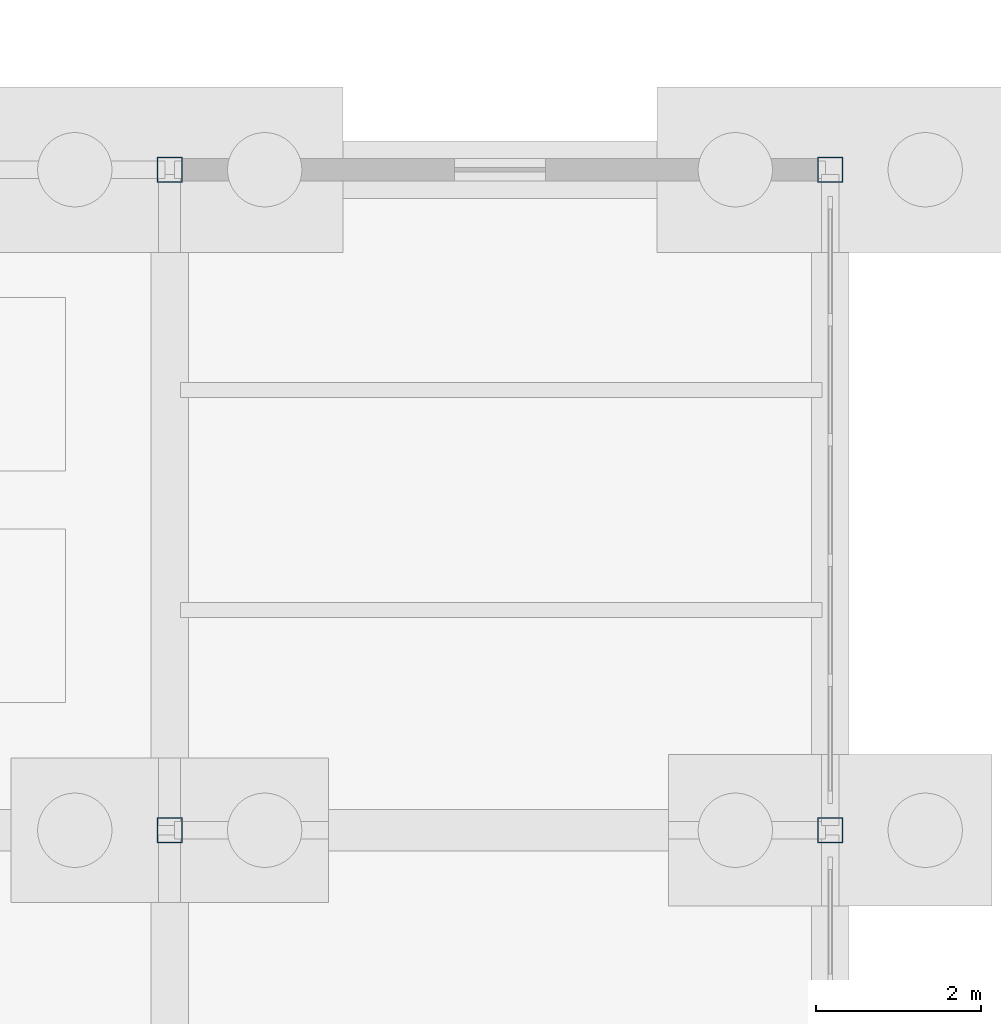
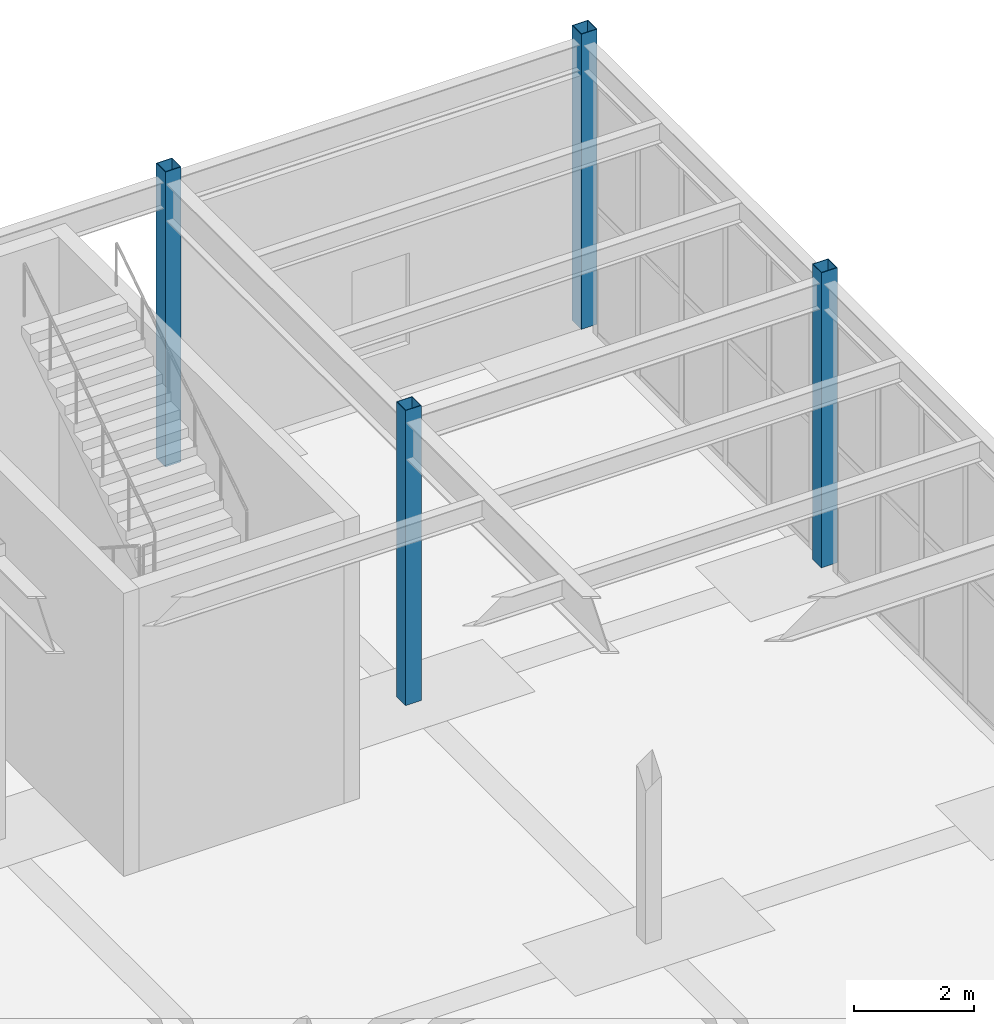
# One storey, part 25 of 82: 4 columns.
"""IFC4 building model written with IfcOpenShell, lengths in metres."""

from ifc_helpers import new_model, si_unit, direction, frame, origin, origin_2d, place, context, subcontext, project, spatial, hollow_rectangle, extrude, material, material_profile, profile_set, type_object, element, save


model = new_model("IFC4")

# Units and contexts
model_context = context("Model", 3, precision=1e-05, world=origin(), true_north=direction((0.0, 1.0)))
body_context = subcontext(model_context, "Body", "Model", "MODEL_VIEW")
ifc_project = project(units=[si_unit("LENGTHUNIT", "METRE"), si_unit("AREAUNIT", "SQUARE_METRE"), si_unit("VOLUMEUNIT", "CUBIC_METRE"), si_unit("PLANEANGLEUNIT", "RADIAN"), si_unit("MASSUNIT", "GRAM", prefix="KILO")], contexts=[model_context])

# Site, building, storey
site_placement = place(None, origin())
site = spatial("IfcSite", under=ifc_project, at=site_placement, CompositionType="ELEMENT")
building_placement = place(site_placement, origin())
building = spatial("IfcBuilding", under=site, at=building_placement, Name="Drelvath Fold Interchange", CompositionType="ELEMENT")
storey_placement = place(building_placement, origin())
storey = spatial("IfcBuildingStorey", under=building, at=storey_placement, Name="L00", CompositionType="ELEMENT", Elevation=0.0)

# Columns
ifc_material = material(Name="Steel ASTM A500 Grade C", Category="steel")
ifc_material_profile = material_profile(ifc_material, hollow_rectangle(XDim=0.304931640625, YDim=0.304931640625, WallThickness=0.01171875, at=origin_2d()), Name="HSS12X12X1/2")
ifc_profile_set = profile_set([ifc_material_profile], Name="Steel ASTM A500 Grade C")
column_type = type_object("IfcColumnType", Name="COL-HSS305", PredefinedType="COLUMN", material=ifc_profile_set)
for number, where, z_axis, x_axis, name in (
    (1, (134.0, 99.0, 0.0), (0.0, 0.0, 1.0), (1.0, 0.0, 0.0), "L00 column (134,99)"),
    (2, (134.0, 107.0, 0.0), (0.0, 0.0, 1.0), (1.0, 0.0, 0.0), "L00 column (134,107)"),
    (3, (142.0, 99.0, 0.0), (0.0, 0.0, 1.0), (1.0, 0.0, 0.0), "L00 column (142,99)"),
    (4, (142.0, 107.0, 0.0), (0.0, 0.0, 1.0), (1.0, 0.0, 0.0), "L00 column (142,107)"),
):
    element("IfcColumn", number, at=place(storey_placement, frame(where, z_axis=z_axis, x_axis=x_axis)), inside=storey, type_object=column_type, Name=name, PredefinedType="COLUMN", context=body_context, shape_type="SweptSolid", body=[
        extrude(hollow_rectangle(XDim=0.304931640625, YDim=0.304931640625, WallThickness=0.01171875, at=origin_2d()), origin(), (0.0, 0.0, 1.0), 6.0),
    ])

save(model, "model.ifc")
